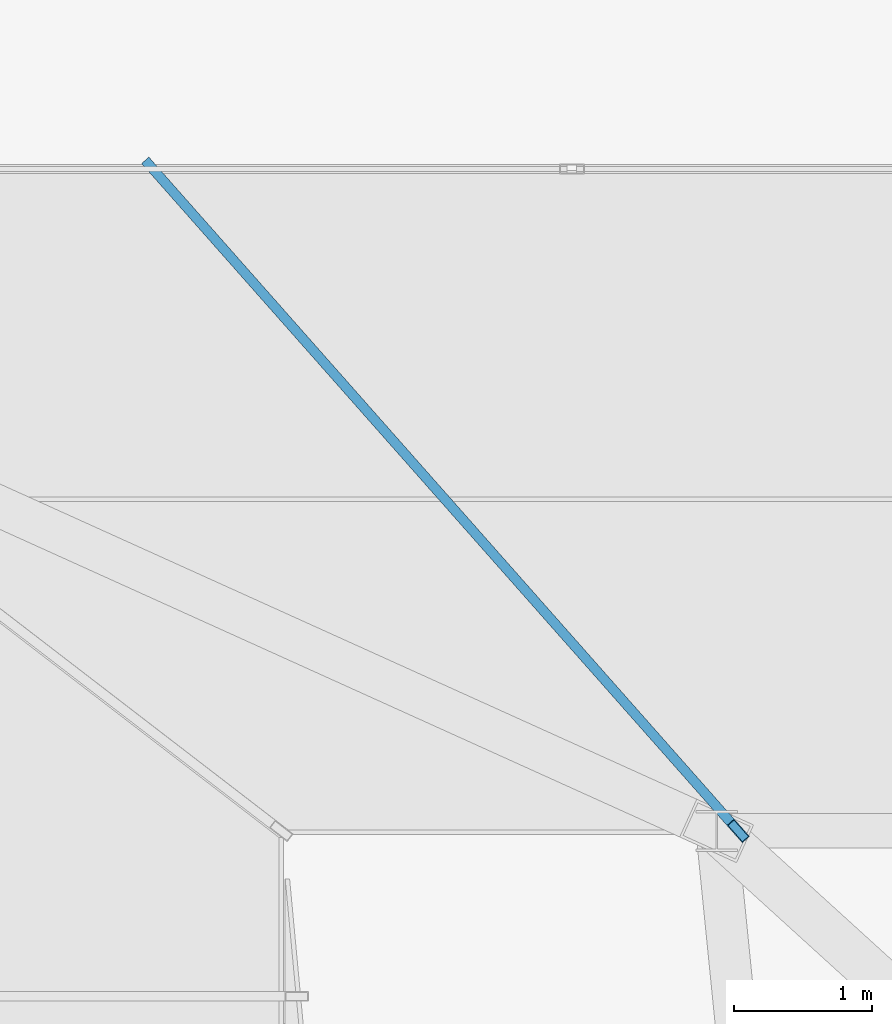
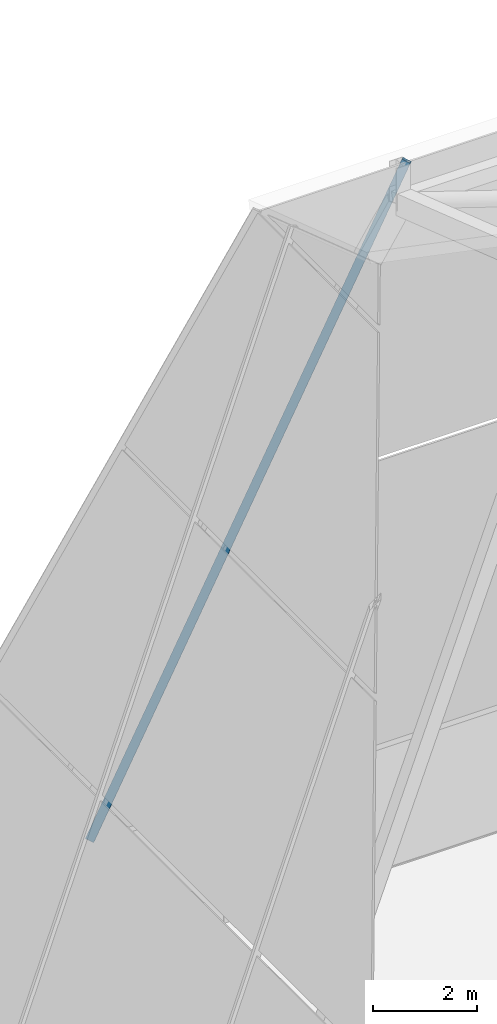
# One storey, part 22 of 32: 1 member, 1 element without a shape of its own.
"""IFC4 building model written with IfcOpenShell, lengths in metres."""

import ifcopenshell
import ifcopenshell.guid

model = None  # the IFC model being written
_history = None  # IfcOwnerHistory: only IFC2X3 demands one
_inside = {}  # id of a spatial element -> (the spatial element, [elements in it])
_under = {}  # id of a project, library or spatial element -> (it, [spatial elements below it])
_declared = {}  # id of a project -> (the project, [libraries it declares])
_typed = {}  # id of a type object -> (the type object, [elements of that type])
_made_of = {}  # id of a material, layer set ... -> (it, [elements and type objects made of it])


def new_model(schema):
    """Start an empty IFC model of exactly this schema.

    Asked for "IFC4X3", IfcOpenShell would pick the latest addendum, in which some entities
    have other attributes; the version numbers below select the first issue.
    IFC2X3 requires an IfcOwnerHistory on every rooted entity: one is made here for all.
    """
    global model, _history
    if schema == "IFC4X3":
        model = ifcopenshell.file(schema_version=(4, 3, 0, 0))
    else:
        model = ifcopenshell.file(schema=schema)
    _inside.clear()
    _under.clear()
    _declared.clear()
    _typed.clear()
    _made_of.clear()
    _history = None
    if model.schema == "IFC2X3":
        org = make("IfcOrganization", Name="unknown")
        user = make(
            "IfcPersonAndOrganization",
            ThePerson=make("IfcPerson", FamilyName="unknown"),
            TheOrganization=org,
        )
        app = make(
            "IfcApplication",
            ApplicationDeveloper=org,
            Version="unknown",
            ApplicationFullName="unknown",
            ApplicationIdentifier="unknown",
        )
        _history = make(
            "IfcOwnerHistory",
            OwningUser=user,
            OwningApplication=app,
            ChangeAction="ADDED",
            CreationDate=0,
        )
    return model


def make(cls, **values):
    """One entity of the class cls with the attributes given. An attribute that is None is left unset."""
    return model.create_entity(
        cls, **{name: value for name, value in values.items() if value is not None}
    )


def rooted(cls, **values):
    """An entity with a GlobalId (a new one), such as an element, a storey or a relation."""
    return make(cls, GlobalId=ifcopenshell.guid.new(), OwnerHistory=_history, **values)


def si_unit(unit_type, name, prefix=None):
    """IfcSIUnit, for example si_unit("LENGTHUNIT", "METRE", prefix="MILLI")."""
    return make("IfcSIUnit", UnitType=unit_type, Prefix=prefix, Name=name)


def assignment(units):
    """IfcUnitAssignment: the units of a project."""
    return None if units is None else make("IfcUnitAssignment", Units=units)


def point(xyz):
    """IfcCartesianPoint."""
    return None if xyz is None else make("IfcCartesianPoint", Coordinates=xyz)


def direction(xyz):
    """IfcDirection."""
    return None if xyz is None else make("IfcDirection", DirectionRatios=xyz)


def frame(location, z_axis=None, x_axis=None):
    """IfcAxis2Placement3D, a coordinate frame: its origin and axes. An axis left out is left unset."""
    return make(
        "IfcAxis2Placement3D",
        Location=point(location),
        Axis=direction(z_axis),
        RefDirection=direction(x_axis),
    )


def frame_2d(location, x_axis=None):
    """IfcAxis2Placement2D, a coordinate frame in the plane: its origin and x axis."""
    return make(
        "IfcAxis2Placement2D", Location=point(location), RefDirection=direction(x_axis)
    )


def origin():
    """The frame at (0, 0, 0) with its axes left unset."""
    return frame((0.0, 0.0, 0.0))


def origin_2d():
    """The frame at (0, 0) in the plane with its x axis left unset."""
    return frame_2d((0.0, 0.0))


def place(relative_to, where):
    """IfcLocalPlacement: puts the frame where relative to a parent placement (None: the world)."""
    return make(
        "IfcLocalPlacement", PlacementRelTo=relative_to, RelativePlacement=where
    )


def context(
    kind, dimensions, precision=None, world=None, true_north=None, identifier=None
):
    """IfcGeometricRepresentationContext, for example the 3D "Model" context."""
    return make(
        "IfcGeometricRepresentationContext",
        ContextIdentifier=identifier,
        ContextType=kind,
        CoordinateSpaceDimension=dimensions,
        Precision=precision,
        WorldCoordinateSystem=world,
        TrueNorth=true_north,
    )


def subcontext(parent, identifier, kind, view, scale=None):
    """IfcGeometricRepresentationSubContext, for example "Body" below "Model"."""
    return make(
        "IfcGeometricRepresentationSubContext",
        ContextIdentifier=identifier,
        ContextType=kind,
        ParentContext=parent,
        TargetScale=scale,
        TargetView=view,
    )


def project(units=None, contexts=None):
    """IfcProject with its units and contexts."""
    return rooted(
        "IfcProject",
        Name="project",
        RepresentationContexts=contexts,
        UnitsInContext=assignment(units),
    )


def spatial(cls, under=None, at=None, **own):
    """A site, building, storey or space (cls), placed at a placement, below another one or the project."""
    s = rooted(cls, ObjectPlacement=at, **own)
    if under is not None:
        _under.setdefault(under.id(), (under, []))[1].append(s)
    return s


def profile(cls, at=None, kind="AREA", **sizes):
    """A parametric profile (cls). Its sizes go by their IFC names, for example OverallWidth=200.0."""
    return make(cls, ProfileType=kind, Position=at, **sizes)


def hollow_rectangle(**sizes):
    """IfcRectangleHollowProfileDef."""
    return profile("IfcRectangleHollowProfileDef", **sizes)


def extrude(swept, where, along, depth):
    """IfcExtrudedAreaSolid: the profile swept, set in the frame where, extruded along a direction by depth."""
    return make(
        "IfcExtrudedAreaSolid",
        SweptArea=swept,
        Position=where,
        ExtrudedDirection=direction(along),
        Depth=depth,
    )


def shape(context_of_items, identifier, shape_type, items):
    """IfcShapeRepresentation: the items that make up one representation, for example the "Body"."""
    return make(
        "IfcShapeRepresentation",
        ContextOfItems=context_of_items,
        RepresentationIdentifier=identifier,
        RepresentationType=shape_type,
        Items=items,
    )


def source(mapping_origin, context_of_items, identifier, shape_type, items):
    """IfcRepresentationMap: a shape defined once, which mapped items show again and again."""
    return make(
        "IfcRepresentationMap",
        MappingOrigin=mapping_origin,
        MappedRepresentation=shape(context_of_items, identifier, shape_type, items),
    )


def transform(
    local_origin,
    x_axis=None,
    y_axis=None,
    z_axis=None,
    scale=None,
    scale2=None,
    scale3=None,
    uniform=True,
):
    """IfcCartesianTransformationOperator3D, or its non-uniform kind. x_axis, y_axis, z_axis: its Axis1, 2, 3."""
    if uniform:
        return make(
            "IfcCartesianTransformationOperator3D",
            Axis1=direction(x_axis),
            Axis2=direction(y_axis),
            LocalOrigin=point(local_origin),
            Scale=scale,
            Axis3=direction(z_axis),
        )
    return make(
        "IfcCartesianTransformationOperator3DnonUniform",
        Axis1=direction(x_axis),
        Axis2=direction(y_axis),
        LocalOrigin=point(local_origin),
        Scale=scale,
        Axis3=direction(z_axis),
        Scale2=scale2,
        Scale3=scale3,
    )


def mapped(mapping_source, mapping_target):
    """IfcMappedItem: shows the shape of a source again, moved by a transform."""
    return make(
        "IfcMappedItem", MappingSource=mapping_source, MappingTarget=mapping_target
    )


def material(Name=None, Category=None):
    """IfcMaterial."""
    return make("IfcMaterial", Name=Name, Category=Category)


def layer(
    of_material, thickness, ventilated=None, Name=None, Category=None, Priority=None
):
    """IfcMaterialLayer: one layer of a wall or slab, of a material (None: an air gap)."""
    return make(
        "IfcMaterialLayer",
        Material=of_material,
        LayerThickness=thickness,
        IsVentilated=ventilated,
        Name=Name,
        Category=Category,
        Priority=Priority,
    )


def layer_set(layers, Name=None):
    """IfcMaterialLayerSet."""
    return make("IfcMaterialLayerSet", MaterialLayers=layers, LayerSetName=Name)


def material_profile(
    of_material, cross_section, Name=None, Category=None, Priority=None
):
    """IfcMaterialProfile: a cross section and its material."""
    return make(
        "IfcMaterialProfile",
        Name=Name,
        Material=of_material,
        Profile=cross_section,
        Priority=Priority,
        Category=Category,
    )


def profile_set(profiles, Name=None, composite=None):
    """IfcMaterialProfileSet."""
    return make(
        "IfcMaterialProfileSet",
        Name=Name,
        MaterialProfiles=profiles,
        CompositeProfile=composite,
    )


def made_of(thing, what):
    """Note that an element or type object is made of a material, layer set ...; save() writes the relation."""
    if what is not None:
        _made_of.setdefault(what.id(), (what, []))[1].append(thing)
    return thing


def type_object(cls, material=None, **own):
    """A type object (cls), such as IfcWallType, which elements share."""
    return made_of(rooted(cls, **own), material)


def element(
    cls,
    number,
    at=None,
    inside=None,
    cuts=None,
    type_object=None,
    material=None,
    context=None,
    identifier="Body",
    shape_type=None,
    held_by="IfcProductDefinitionShape",
    body=None,
    shapes=None,
    **own,
):
    """One element of the class cls, such as IfcWall. Its Tag is "e" and its number.

    at: its placement. inside: the storey or other place that contains it. cuts: it is an
    opening in that element (IfcRelVoidsElement). A single representation is given by context,
    identifier, shape_type and body (its items); several are given by shapes. held_by: the class
    of the entity that holds the representations. save() writes the other relations.
    """
    e = rooted(cls, Tag="e%d" % number, ObjectPlacement=at, **own)
    if body is not None:
        shapes = [shape(context, identifier, shape_type, body)]
    if shapes is not None:
        e.Representation = make(held_by, Representations=shapes)
    if inside is not None:
        _inside.setdefault(inside.id(), (inside, []))[1].append(e)
    if cuts is not None:
        rooted(
            "IfcRelVoidsElement", RelatingBuildingElement=cuts, RelatedOpeningElement=e
        )
    if type_object is not None:
        _typed.setdefault(type_object.id(), (type_object, []))[1].append(e)
    return made_of(e, material)


def aggregate(whole, parts):
    """IfcRelAggregates: a whole, such as a stair, and the parts it consists of."""
    return rooted("IfcRelAggregates", RelatingObject=whole, RelatedObjects=parts)


def save(model, path):
    """Write the relations noted so far, then the file.

    IfcRelAggregates (storeys below a building ...), IfcRelContainedInSpatialStructure (elements
    in a storey), IfcRelDefinesByType, IfcRelAssociatesMaterial and IfcRelDeclares: one each for
    every whole, place, type object, material and project.
    """
    for whole, parts in _under.values():
        aggregate(whole, parts)
    for where, things in _inside.values():
        rooted(
            "IfcRelContainedInSpatialStructure",
            RelatedElements=things,
            RelatingStructure=where,
        )
    for kind, things in _typed.values():
        rooted("IfcRelDefinesByType", RelatedObjects=things, RelatingType=kind)
    for what, things in _made_of.values():
        rooted("IfcRelAssociatesMaterial", RelatedObjects=things, RelatingMaterial=what)
    for by, libraries in _declared.values():
        rooted("IfcRelDeclares", RelatingContext=by, RelatedDefinitions=libraries)
    model.write(path)


model = new_model("IFC4")

# Units and contexts
model_context = context("Model", 3, precision=1e-05, world=origin(), true_north=direction((0.0, 1.0)))
body_context = subcontext(model_context, "Body", "Model", "MODEL_VIEW")
ifc_project = project(units=[si_unit("LENGTHUNIT", "METRE"), si_unit("AREAUNIT", "SQUARE_METRE"), si_unit("VOLUMEUNIT", "CUBIC_METRE"), si_unit("PLANEANGLEUNIT", "RADIAN"), si_unit("MASSUNIT", "GRAM", prefix="KILO")], contexts=[model_context])

# Site, building, storey
site_placement = place(None, origin())
site = spatial("IfcSite", under=ifc_project, at=site_placement, CompositionType="ELEMENT")
building_placement = place(site_placement, origin())
building = spatial("IfcBuilding", under=site, at=building_placement, Name="Sumidabori Civic Tower", CompositionType="ELEMENT")
storey_placement = place(building_placement, frame((0.0, 0.0, 298.199951171875)))
storey = spatial("IfcBuildingStorey", under=building, at=storey_placement, Name="RF Roof Crown", CompositionType="ELEMENT", Elevation=298.199951171875)

# Curtain wall, member
ifc_material = material(Name="Anodised Bronze Aluminium AW-6063-T6", Category="aluminium")
ifc_layer = layer(ifc_material, 0.179931640625, Name="Anodised Bronze Aluminium AW-6063-T6")
ifc_layer_set = layer_set([ifc_layer], Name="Anodised Bronze Aluminium AW-6063-T6")
curtain_wall_type = type_object("IfcCurtainWallType", Name="CW-SYS-6", PredefinedType="NOTDEFINED", material=ifc_layer_set)
curtain_wall_placement = place(storey_placement, origin())
curtain_wall = element("IfcCurtainWall", 1, at=curtain_wall_placement, inside=storey, type_object=curtain_wall_type, Name="Glass-Point Crown North Shoulder Curtain Wall", PredefinedType="NOTDEFINED")
ifc_material_profile = material_profile(ifc_material, hollow_rectangle(XDim=0.070068359375, YDim=0.179931640625, WallThickness=0.006103515625, at=origin_2d()), Name="ALU MULLION 180x70")
ifc_profile_set = profile_set([ifc_material_profile], Name="Anodised Bronze Aluminium AW-6063-T6")
member_type = type_object("IfcMemberType", Name="CW-MUL-180", PredefinedType="MULLION", material=ifc_profile_set)
shared_shape = source(origin(), body_context, "Body", "SweptSolid", [
    extrude(hollow_rectangle(XDim=0.070068359375, YDim=0.179931640625, WallThickness=0.006103515625, at=origin_2d()), origin(), (0.0, 0.0, 1.0), 18.486083984375),
])
member_placement = place(storey_placement, frame((-11.2880859375, 22.800048828125, 3.050048828125), z_axis=(0.229624396966, -0.259656367904, 0.938003841636), x_axis=(0.749099093582, 0.662457959417, 0.0)))
member = element("IfcMember", 2, at=member_placement, type_object=member_type, Name="Crown North Shoulder Sloped Mullion M1", PredefinedType="MULLION", context=body_context, shape_type="MappedRepresentation", body=[
    mapped(shared_shape, transform((0.0, 0.0, 0.0), x_axis=(1.0, 0.0, 0.0), y_axis=(0.0, 1.0, 0.0), z_axis=(0.0, 0.0, 1.0), scale=1.0)),
])
aggregate(curtain_wall, [member])

save(model, "model.ifc")
